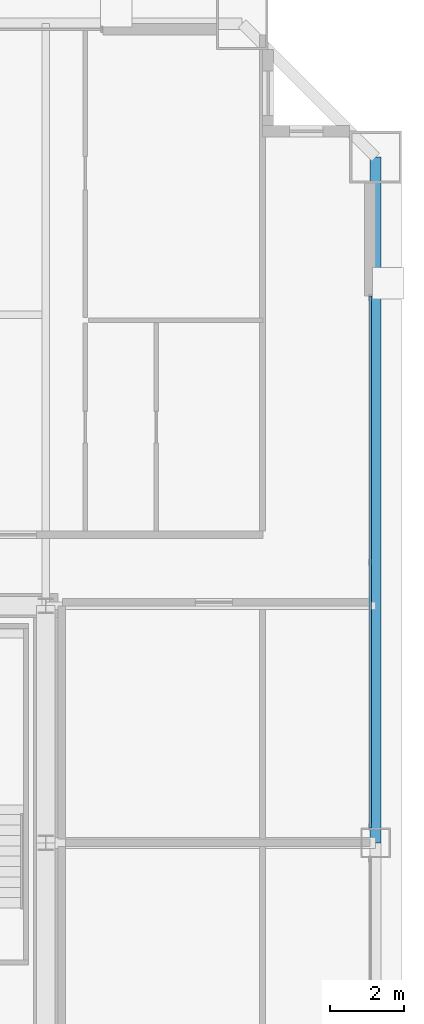
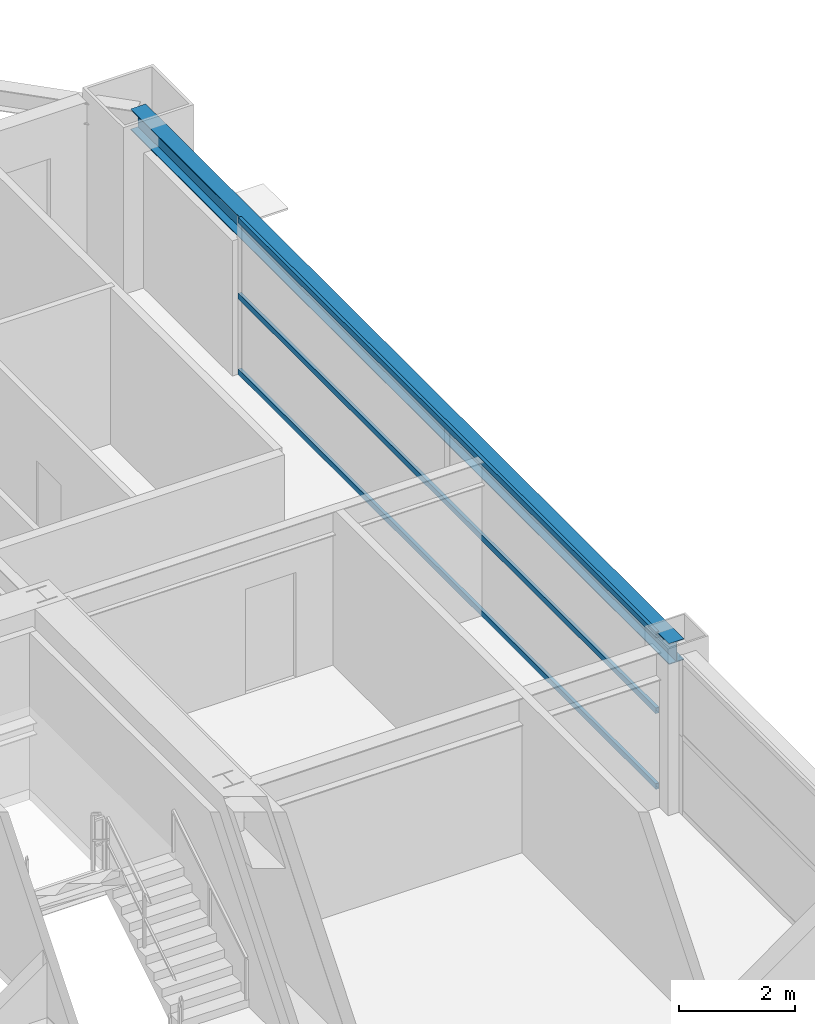
# One storey, part 22 of 38: 3 members, 1 beam, 1 element without a shape of its own.
"""IFC4 building model written with IfcOpenShell, lengths in metres."""

from ifc_helpers import new_model, si_unit, direction, frame, origin, origin_2d, place, context, subcontext, project, spatial, hollow_rectangle, i_section, extrude, source, transform, mapped, material, layer, layer_set, material_profile, profile_set, type_object, element, aggregate, save


model = new_model("IFC4")

# Units and contexts
model_context = context("Model", 3, precision=1e-05, world=origin(), true_north=direction((0.0, 1.0)))
body_context = subcontext(model_context, "Body", "Model", "MODEL_VIEW")
ifc_project = project(units=[si_unit("LENGTHUNIT", "METRE"), si_unit("AREAUNIT", "SQUARE_METRE"), si_unit("VOLUMEUNIT", "CUBIC_METRE"), si_unit("PLANEANGLEUNIT", "RADIAN"), si_unit("MASSUNIT", "GRAM", prefix="KILO"), si_unit("THERMODYNAMICTEMPERATUREUNIT", "KELVIN"), si_unit("POWERUNIT", "WATT")], contexts=[model_context])

# Site, building, storey
site_placement = place(None, origin())
site = spatial("IfcSite", under=ifc_project, at=site_placement, CompositionType="ELEMENT")
building_placement = place(site_placement, origin())
building = spatial("IfcBuilding", under=site, at=building_placement, Name="Yuzanri Waterfront Tower", CompositionType="ELEMENT")
storey_placement = place(building_placement, frame((0.0, 0.0, 209.0)))
storey = spatial("IfcBuildingStorey", under=building, at=storey_placement, Name="L55", CompositionType="ELEMENT", Elevation=209.0)

# Beam
ifc_material_1 = material(Name="Steel Q355B", Category="steel")
ifc_material_profile_1 = material_profile(ifc_material_1, i_section(OverallWidth=0.300048828125, OverallDepth=0.43994140625, WebThickness=0.010986328125, FlangeThickness=0.01806640625, at=origin_2d()), Name="HM 440x300x11x18")
ifc_profile_set_1 = profile_set([ifc_material_profile_1], Name="Steel Q355B")
beam_type = type_object("IfcBeamType", Name="Perimeter Spandrel Q355B HM 440x300", PredefinedType="SPANDREL", material=ifc_profile_set_1)
shared_shape_1 = source(origin(), body_context, "Body", "SweptSolid", [
    extrude(i_section(OverallWidth=0.300048828125, OverallDepth=0.43994140625, WebThickness=0.010986328125, FlangeThickness=0.01806640625, at=origin_2d()), origin(), (0.0, 0.0, 1.0), 18.5),
])
beam_placement = place(storey_placement, frame((59.10009765625, 25.800048828125, 3.06005859375), z_axis=(0.0, 1.0, 0.0), x_axis=(-1.0, 0.0, 0.0)))
element("IfcBeam", 1, at=beam_placement, inside=storey, type_object=beam_type, Name="L55 Perimeter Spandrel E2-E3", PredefinedType="SPANDREL", context=body_context, shape_type="MappedRepresentation", body=[
    mapped(shared_shape_1, transform((0.0, 0.0, 0.0), scale=1.0)),
])

# Curtain wall, members
ifc_material_2 = material(Name="Anodized Architectural Bronze", Category="metal")
ifc_layer = layer(ifc_material_2, 0.159912109375)
ifc_layer_set = layer_set([ifc_layer], Name="Anodized Architectural Bronze")
curtain_wall_type = type_object("IfcCurtainWallType", Name="Anodized Bronze Mid-Rise Residential Acoustic Unitized Curtain Wall 7200", PredefinedType="NOTDEFINED", material=ifc_layer_set)
curtain_wall_placement = place(storey_placement, origin())
curtain_wall = element("IfcCurtainWall", 2, at=curtain_wall_placement, inside=storey, type_object=curtain_wall_type, Name="L55 Curtain Wall CW-L55-ER", PredefinedType="NOTDEFINED")
ifc_material_3 = material(Name="Anodized Architectural Bronze", Category="metal")
ifc_material_profile_2 = material_profile(ifc_material_3, hollow_rectangle(XDim=0.06494140625, YDim=0.1201171875, WallThickness=0.00341796875, at=origin_2d()), Name="CWT 65x120")
ifc_profile_set_2 = profile_set([ifc_material_profile_2], Name="Anodized Architectural Bronze")
member_type = type_object("IfcMemberType", Name="Anodized Bronze Secondary Curtain-Wall Transom 65x120", PredefinedType="USERDEFINED", material=ifc_profile_set_2)
shared_shape_2 = source(origin(), body_context, "Body", "SweptSolid", [
    extrude(hollow_rectangle(XDim=0.06494140625, YDim=0.1201171875, WallThickness=0.00341796875, at=origin_2d()), origin(), (0.0, 0.0, 1.0), 14.35009765625),
])
member_1_placement = place(storey_placement, frame((58.949951171875, 26.199951171875, 0.050048828125), z_axis=(0.0, 1.0, 0.0), x_axis=(-1.0, 0.0, 0.0)))
member_1 = element("IfcMember", 3, at=member_1_placement, type_object=member_type, Name="CW-L55-ER Transom 1", ObjectType="TRANSOM", PredefinedType="USERDEFINED", context=body_context, shape_type="MappedRepresentation", body=[
    mapped(shared_shape_2, transform((0.0, 0.0, 0.0), scale=1.0)),
])
member_2_placement = place(storey_placement, frame((58.949951171875, 26.199951171875, 1.639892578125), z_axis=(0.0, 1.0, 0.0), x_axis=(-1.0, 0.0, 0.0)))
member_2 = element("IfcMember", 4, at=member_2_placement, type_object=member_type, Name="CW-L55-ER Transom 2", ObjectType="TRANSOM", PredefinedType="USERDEFINED", context=body_context, shape_type="MappedRepresentation", body=[
    mapped(shared_shape_2, transform((0.0, 0.0, 0.0), scale=1.0)),
])
member_3_placement = place(storey_placement, frame((58.949951171875, 26.199951171875, 3.22998046875), z_axis=(0.0, 1.0, 0.0), x_axis=(-1.0, 0.0, 0.0)))
member_3 = element("IfcMember", 5, at=member_3_placement, type_object=member_type, Name="CW-L55-ER Transom 3", ObjectType="TRANSOM", PredefinedType="USERDEFINED", context=body_context, shape_type="MappedRepresentation", body=[
    mapped(shared_shape_2, transform((0.0, 0.0, 0.0), scale=1.0)),
])
aggregate(curtain_wall, [member_1, member_2, member_3])

save(model, "model.ifc")
